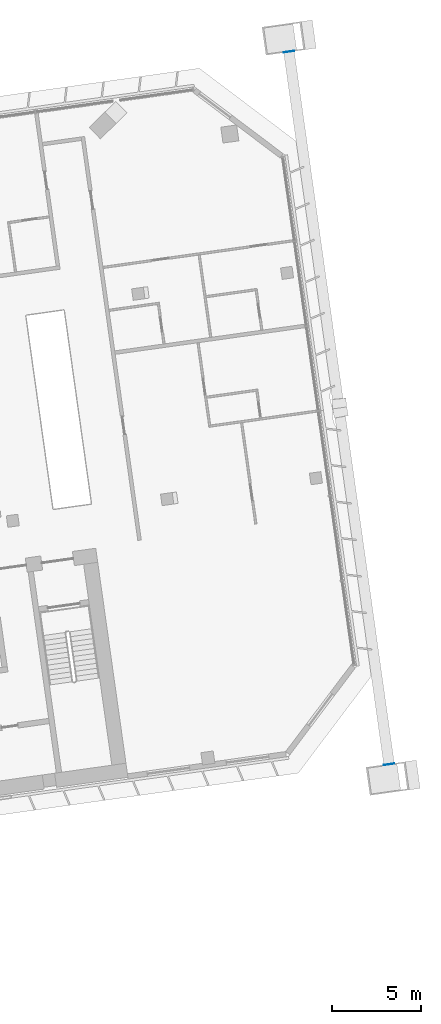
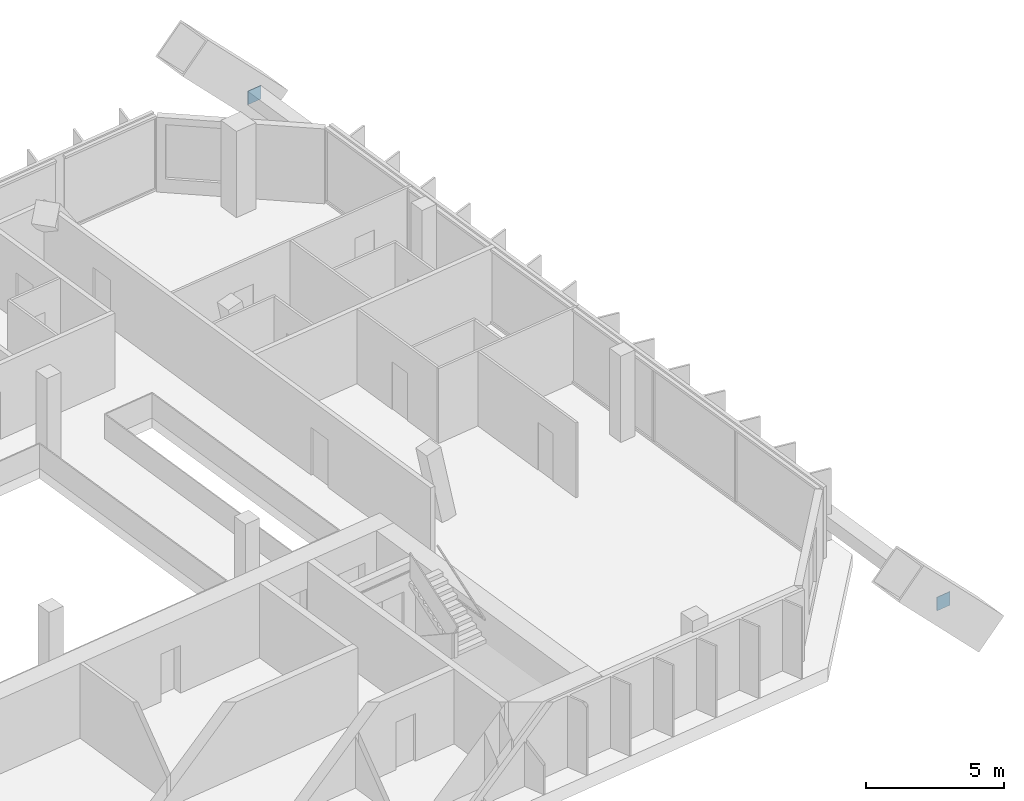
# One storey, part 31 of 34: 2 discrete accessories.
"""IFC4 building model written with IfcOpenShell, lengths in metres."""

from ifc_helpers import new_model, si_unit, direction, frame, origin, origin_2d, place, context, subcontext, project, spatial, rectangle, extrude, material, material_profile, profile_set, type_object, element, save


model = new_model("IFC4")

# Units and contexts
model_context = context("Model", 3, precision=1e-05, world=origin(), true_north=direction((0.0, 1.0)))
body_context = subcontext(model_context, "Body", "Model", "MODEL_VIEW")
ifc_project = project(units=[si_unit("LENGTHUNIT", "METRE"), si_unit("AREAUNIT", "SQUARE_METRE"), si_unit("VOLUMEUNIT", "CUBIC_METRE"), si_unit("PLANEANGLEUNIT", "RADIAN"), si_unit("MASSUNIT", "GRAM", prefix="KILO")], contexts=[model_context])

# Site, building, storey
site_placement = place(None, origin())
site = spatial("IfcSite", under=ifc_project, at=site_placement, CompositionType="ELEMENT")
building_placement = place(site_placement, origin())
building = spatial("IfcBuilding", under=site, at=building_placement, Name="Mirante Cascada Hotel Towers", CompositionType="ELEMENT")
storey_placement = place(building_placement, frame((0.0, 0.0, 148.1)))
storey = spatial("IfcBuildingStorey", under=building, at=storey_placement, Name="L34", CompositionType="ELEMENT", Elevation=148.1)

# Discrete accessories
ifc_material = material(Name="Steel ASTM A572 Gr 50", Category="steel")
ifc_material_profile = material_profile(ifc_material, rectangle(XDim=0.6, YDim=0.6, at=origin_2d()), Name="Connection plate 600x600x25 ASTM A572 Gr 50")
ifc_profile_set = profile_set([ifc_material_profile], Name="Steel ASTM A572 Gr 50")
discrete_accessory_type = type_object("IfcDiscreteAccessoryType", Name="Connection plate 600x600x25 ASTM A572 Gr 50", PredefinedType="BRACKET", material=ifc_profile_set)
discrete_accessory_1_placement = place(storey_placement, frame((105.1373, -11.8715, 1.0), z_axis=(-0.1358263, 0.9907327, 0.0), x_axis=(-0.9907327, -0.1358263, 0.0)))
element("IfcDiscreteAccessory", 1, at=discrete_accessory_1_placement, inside=storey, type_object=discrete_accessory_type, Name="Connection plate NCH", PredefinedType="BRACKET", context=body_context, shape_type="SweptSolid", body=[
    extrude(rectangle(XDim=0.6, YDim=0.6, at=origin_2d()), origin(), (0.0, 0.0, 1.0), 0.025),
])
discrete_accessory_2_placement = place(storey_placement, frame((99.5092, 28.175, 1.0), z_axis=(-0.1402989, 0.9901092, 0.0), x_axis=(-0.9901092, -0.1402989, 0.0)))
element("IfcDiscreteAccessory", 2, at=discrete_accessory_2_placement, inside=storey, type_object=discrete_accessory_type, Name="Connection plate NCH", PredefinedType="BRACKET", context=body_context, shape_type="SweptSolid", body=[
    extrude(rectangle(XDim=0.6, YDim=0.6, at=origin_2d()), origin(), (0.0, 0.0, 1.0), 0.0249),
])

save(model, "model.ifc")
